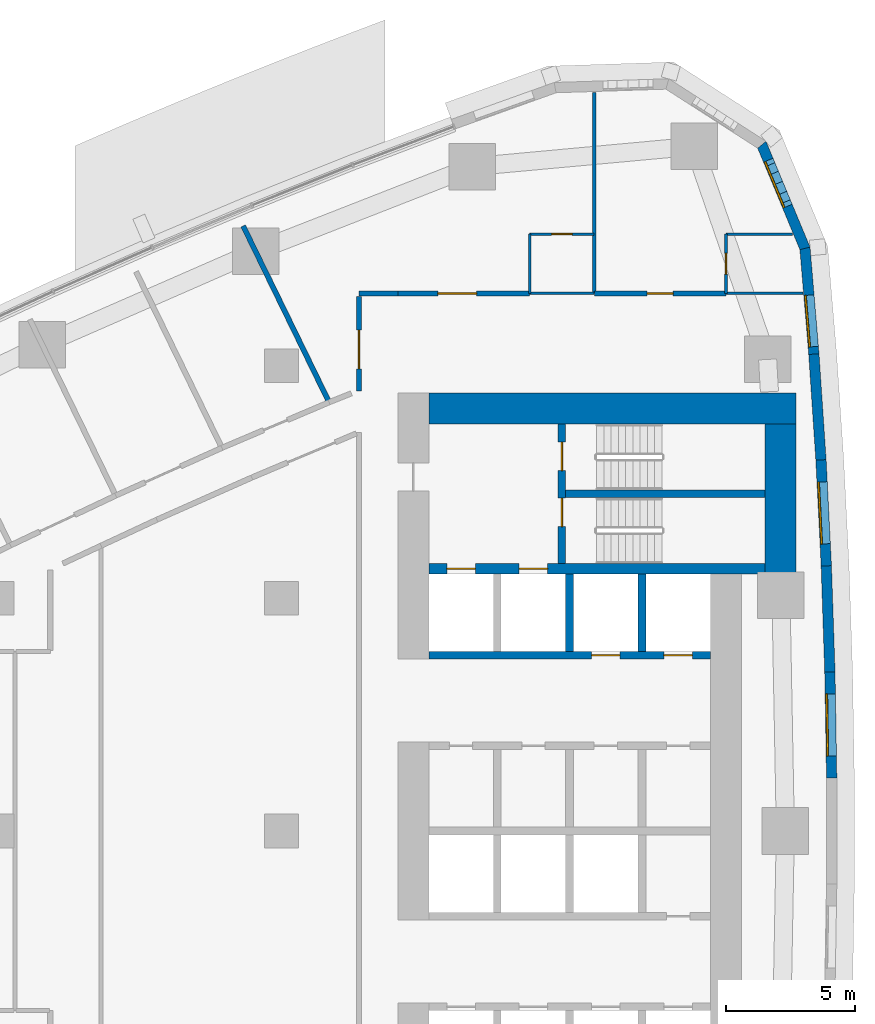
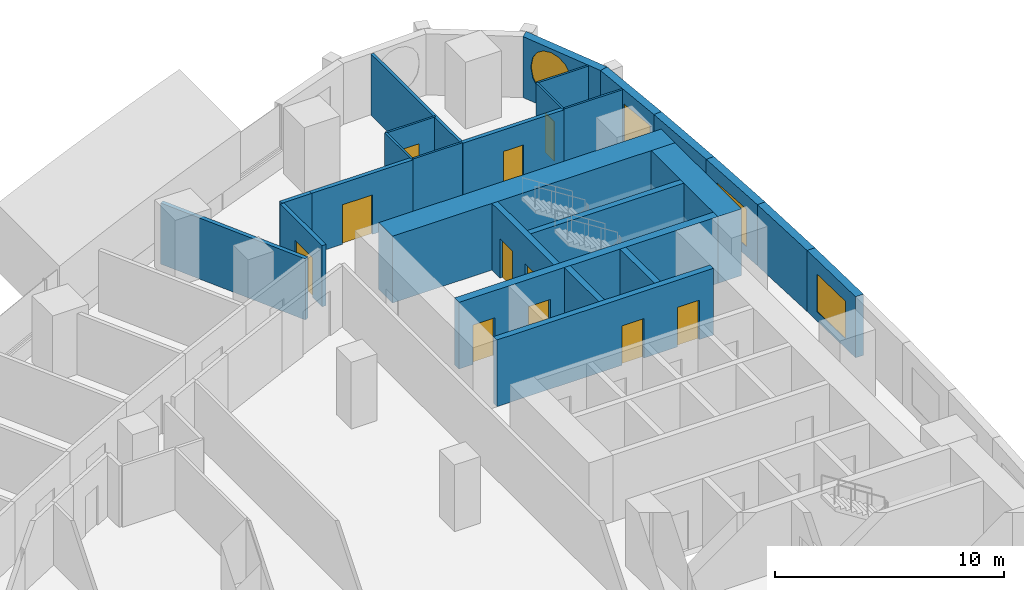
# One storey, part 13 of 19: 26 walls, 11 doors, 4 windows, 15 openings.
"""IFC4 building model written with IfcOpenShell, lengths in metres."""

from ifc_helpers import new_model, si_unit, direction, frame, frame_2d, origin, place, context, subcontext, project, spatial, polyline, rectangle, outline, extrude, material, layer, layer_set, type_object, element, fill, save


model = new_model("IFC4")

# Units and contexts
model_context = context("Model", 3, precision=1e-05, world=origin(), true_north=direction((0.0, 1.0)))
body_context = subcontext(model_context, "Body", "Model", "MODEL_VIEW")
ifc_project = project(units=[si_unit("LENGTHUNIT", "METRE"), si_unit("AREAUNIT", "SQUARE_METRE"), si_unit("VOLUMEUNIT", "CUBIC_METRE"), si_unit("PLANEANGLEUNIT", "RADIAN"), si_unit("MASSUNIT", "GRAM", prefix="KILO")], contexts=[model_context])

# Site, building, storey
site_placement = place(None, origin())
site = spatial("IfcSite", under=ifc_project, at=site_placement, CompositionType="ELEMENT")
building_placement = place(site_placement, origin())
building = spatial("IfcBuilding", under=site, at=building_placement, Name="Ostrand Prow Hotel Tower", CompositionType="ELEMENT")
storey_placement = place(building_placement, frame((0.0, 0.0, 46.699951171875)))
storey = spatial("IfcBuildingStorey", under=building, at=storey_placement, Name="L09", CompositionType="ELEMENT", Elevation=46.699951171875)

# Walls
ifc_material_1 = material(Name="Concrete C80/95", Category="concrete")
ifc_layer_1 = layer(ifc_material_1, 1.199951171875)
ifc_layer_set_1 = layer_set([ifc_layer_1], Name="Concrete C80/95")
wall_type_1 = type_object("IfcWallType", Name="Core wall 1200 C80/95", PredefinedType="SHEAR", material=ifc_layer_set_1)
wall_1_placement = place(storey_placement, frame((50.699951171875, 16.35009765625, 0.0), z_axis=(0.0, 0.0, 1.0), x_axis=(1.0, 0.0, 0.0)))
element("IfcWall", 1, at=wall_1_placement, inside=storey, type_object=wall_type_1, Name="Core wall CW-N", PredefinedType="SHEAR", context=body_context, shape_type="SweptSolid", body=[
    extrude(rectangle(XDim=14.219970703125, YDim=1.199951171875, at=frame_2d((7.10986328125, 0.0))), origin(), (0.0, 0.0, 1.0), 3.550048828125),
])
wall_2_placement = place(storey_placement, frame((64.320068359375, 9.949951171875, 0.0), z_axis=(0.0, 0.0, 1.0), x_axis=(0.0, 1.0, 0.0)))
element("IfcWall", 2, at=wall_2_placement, inside=storey, type_object=wall_type_1, Name="Core wall CW-E-N", PredefinedType="SHEAR", context=body_context, shape_type="SweptSolid", body=[
    extrude(rectangle(XDim=5.800048828125, YDim=1.199951171875, at=frame_2d((2.89990234375, 0.0))), origin(), (0.0, 0.0, 1.0), 3.550048828125),
])

# Wall, openings, doors
ifc_material_2 = material(Name="Concrete C80/95", Category="concrete")
ifc_layer_2 = layer(ifc_material_2, 0.300048828125)
ifc_layer_set_2 = layer_set([ifc_layer_2], Name="Concrete C80/95")
wall_type_2 = type_object("IfcWallType", Name="Core wall 300 C80/95", PredefinedType="SHEAR", material=ifc_layer_set_2)
wall_3_placement = place(storey_placement, frame((50.699951171875, 6.800048828125, 0.0), z_axis=(0.0, 0.0, 1.0), x_axis=(1.0, 0.0, 0.0)))
wall_3 = element("IfcWall", 3, at=wall_3_placement, inside=storey, type_object=wall_type_2, Name="Core wall PW-L2-N", PredefinedType="SHEAR", context=body_context, shape_type="SweptSolid", body=[
    extrude(rectangle(XDim=10.900146484375, YDim=0.300048828125, at=frame_2d((5.4501953125, 0.0))), origin(), (0.0, 0.0, 1.0), 3.550048828125),
])
opening_1_placement = place(wall_3_placement, frame((6.300048828125, 0.0, 0.0)))
opening_1 = element("IfcOpeningElement", 4, at=opening_1_placement, cuts=wall_3, Name="Opening LD", PredefinedType="OPENING", context=body_context, shape_type="SweptSolid", body=[
    extrude(rectangle(XDim=1.10009765625, YDim=2.10009765625, at=frame_2d((0.550048828125, 1.050048828125))), frame((0.0, 0.159912109375, 0.0), z_axis=(0.0, -1.0, 0.0), x_axis=(1.0, 0.0, 0.0)), (0.0, 0.0, 1.0), 0.320068359375),
])
opening_2_placement = place(wall_3_placement, frame((9.10009765625, 0.0, 0.0)))
opening_2 = element("IfcOpeningElement", 5, at=opening_2_placement, cuts=wall_3, Name="Opening LD", PredefinedType="OPENING", context=body_context, shape_type="SweptSolid", body=[
    extrude(rectangle(XDim=1.10009765625, YDim=2.10009765625, at=frame_2d((0.550048828125, 1.050048828125))), frame((0.0, 0.159912109375, 0.0), z_axis=(0.0, -1.0, 0.0), x_axis=(1.0, 0.0, 0.0)), (0.0, 0.0, 1.0), 0.320068359375),
])
ifc_material_3 = material(Name="Stainless steel door", Category="steel")
door_type_1 = type_object("IfcDoorType", Name="Lift landing door 1100", OperationType="DOUBLE_DOOR_SLIDING", PredefinedType="DOOR", material=ifc_material_3)
door_1_placement = place(opening_1_placement, origin())
door_1 = element("IfcDoor", 6, at=door_1_placement, inside=storey, type_object=door_type_1, Name="LIFT LANDING DOOR", OperationType="DOUBLE_DOOR_SLIDING", OverallHeight=2.10009765625, OverallWidth=1.10009765625, PredefinedType="DOOR", context=body_context, shape_type="SweptSolid", body=[
    extrude(rectangle(XDim=1.10009765625, YDim=2.10009765625, at=frame_2d((0.550048828125, 1.050048828125))), frame((0.0, 0.02490234375, 0.0), z_axis=(0.0, -1.0, 0.0), x_axis=(1.0, 0.0, 0.0)), (0.0, 0.0, 1.0), 0.050048828125),
])
fill(opening_1, door_1)
door_2_placement = place(opening_2_placement, origin())
door_2 = element("IfcDoor", 7, at=door_2_placement, inside=storey, type_object=door_type_1, Name="LIFT LANDING DOOR", OperationType="DOUBLE_DOOR_SLIDING", OverallHeight=2.10009765625, OverallWidth=1.10009765625, PredefinedType="DOOR", context=body_context, shape_type="SweptSolid", body=[
    extrude(rectangle(XDim=1.10009765625, YDim=2.10009765625, at=frame_2d((0.550048828125, 1.050048828125))), frame((0.0, 0.02490234375, 0.0), z_axis=(0.0, -1.0, 0.0), x_axis=(1.0, 0.0, 0.0)), (0.0, 0.0, 1.0), 0.050048828125),
])
fill(opening_2, door_2)

# Walls
for number, where, z_axis, x_axis, name in (
    (8, (56.14990234375, 6.949951171875, 0.0), (0.0, 0.0, 1.0), (0.0, 1.0, 0.0), "Core wall PW-R2-NA"),
    (9, (58.949951171875, 6.949951171875, 0.0), (0.0, 0.0, 1.0), (0.0, 1.0, 0.0), "Core wall PW-R3-NA"),
):
    element("IfcWall", number, at=place(storey_placement, frame(where, z_axis=z_axis, x_axis=x_axis)), inside=storey, type_object=wall_type_2, Name=name, PredefinedType="SHEAR", context=body_context, shape_type="SweptSolid", body=[
        extrude(rectangle(XDim=3.0, YDim=0.300048828125, at=frame_2d((1.5, 0.0))), origin(), (0.0, 0.0, 1.0), 3.550048828125),
    ])

# Wall, openings, doors
wall_4_placement = place(storey_placement, frame((55.85009765625, 10.35009765625, 0.0), z_axis=(0.0, 0.0, 1.0), x_axis=(0.0, 1.0, 0.0)))
wall_4 = element("IfcWall", 10, at=wall_4_placement, inside=storey, type_object=wall_type_2, Name="Core wall PW-VN", PredefinedType="SHEAR", context=body_context, shape_type="SweptSolid", body=[
    extrude(rectangle(XDim=5.39990234375, YDim=0.300048828125, at=frame_2d((2.699951171875, 0.0))), origin(), (0.0, 0.0, 1.0), 3.550048828125),
])
opening_3_placement = place(wall_4_placement, frame((1.429931640625, 0.0, 0.0)))
opening_3 = element("IfcOpeningElement", 11, at=opening_3_placement, cuts=wall_4, Name="Opening FD1", PredefinedType="OPENING", context=body_context, shape_type="SweptSolid", body=[
    extrude(rectangle(XDim=1.10009765625, YDim=2.10009765625, at=frame_2d((0.550048828125, 1.050048828125))), frame((0.0, 0.159912109375, 0.0), z_axis=(0.0, -1.0, 0.0), x_axis=(1.0, 0.0, 0.0)), (0.0, 0.0, 1.0), 0.320068359375),
])
opening_4_placement = place(wall_4_placement, frame((3.60009765625, 0.0, 0.0)))
opening_4 = element("IfcOpeningElement", 12, at=opening_4_placement, cuts=wall_4, Name="Opening FD1", PredefinedType="OPENING", context=body_context, shape_type="SweptSolid", body=[
    extrude(rectangle(XDim=1.10009765625, YDim=2.10009765625, at=frame_2d((0.550048828125, 1.050048828125))), frame((0.0, 0.159912109375, 0.0), z_axis=(0.0, -1.0, 0.0), x_axis=(1.0, 0.0, 0.0)), (0.0, 0.0, 1.0), 0.320068359375),
])
ifc_material_4 = material(Name="Steel fire door", Category="steel")
door_type_2 = type_object("IfcDoorType", Name="Fire door 1100 EI120", OperationType="SINGLE_SWING_RIGHT", PredefinedType="DOOR", material=ifc_material_4)
door_3_placement = place(opening_3_placement, origin())
door_3 = element("IfcDoor", 13, at=door_3_placement, inside=storey, type_object=door_type_2, Name="FIRE DOOR", OperationType="SINGLE_SWING_RIGHT", OverallHeight=2.10009765625, OverallWidth=1.10009765625, PredefinedType="DOOR", context=body_context, shape_type="SweptSolid", body=[
    extrude(rectangle(XDim=1.10009765625, YDim=2.10009765625, at=frame_2d((0.550048828125, 1.050048828125))), frame((0.0, 0.02490234375, 0.0), z_axis=(0.0, -1.0, 0.0), x_axis=(1.0, 0.0, 0.0)), (0.0, 0.0, 1.0), 0.050048828125),
])
fill(opening_3, door_3)
door_4_placement = place(opening_4_placement, origin())
door_4 = element("IfcDoor", 14, at=door_4_placement, inside=storey, type_object=door_type_2, Name="FIRE DOOR", OperationType="SINGLE_SWING_RIGHT", OverallHeight=2.10009765625, OverallWidth=1.10009765625, PredefinedType="DOOR", context=body_context, shape_type="SweptSolid", body=[
    extrude(rectangle(XDim=1.10009765625, YDim=2.10009765625, at=frame_2d((0.550048828125, 1.050048828125))), frame((0.0, 0.02490234375, 0.0), z_axis=(0.0, -1.0, 0.0), x_axis=(1.0, 0.0, 0.0)), (0.0, 0.0, 1.0), 0.050048828125),
])
fill(opening_4, door_4)

# Wall
wall_5_placement = place(storey_placement, frame((56.0, 13.050048828125, 0.0), z_axis=(0.0, 0.0, 1.0), x_axis=(1.0, 0.0, 0.0)))
element("IfcWall", 15, at=wall_5_placement, inside=storey, type_object=wall_type_2, Name="Core wall PW-ST13", PredefinedType="SHEAR", context=body_context, shape_type="SweptSolid", body=[
    extrude(rectangle(XDim=7.719970703125, YDim=0.300048828125, at=frame_2d((3.85986328125, 0.0))), origin(), (0.0, 0.0, 1.0), 3.550048828125),
])

# Wall, openings, doors
ifc_material_5 = material(Name="Concrete C80/95", Category="concrete")
ifc_layer_3 = layer(ifc_material_5, 0.39990234375)
ifc_layer_set_3 = layer_set([ifc_layer_3], Name="Concrete C80/95")
wall_type_3 = type_object("IfcWallType", Name="Core wall 400 C80/95", PredefinedType="SHEAR", material=ifc_layer_set_3)
wall_6_placement = place(storey_placement, frame((50.699951171875, 10.14990234375, 0.0), z_axis=(0.0, 0.0, 1.0), x_axis=(1.0, 0.0, 0.0)))
wall_6 = element("IfcWall", 16, at=wall_6_placement, inside=storey, type_object=wall_type_3, Name="Core wall PW-BN", PredefinedType="SHEAR", context=body_context, shape_type="SweptSolid", body=[
    extrude(rectangle(XDim=13.02001953125, YDim=0.39990234375, at=frame_2d((6.510009765625, 0.0))), origin(), (0.0, 0.0, 1.0), 3.550048828125),
])
opening_5_placement = place(wall_6_placement, frame((0.699951171875, 0.0, 0.0)))
opening_5 = element("IfcOpeningElement", 17, at=opening_5_placement, cuts=wall_6, Name="Opening LD", PredefinedType="OPENING", context=body_context, shape_type="SweptSolid", body=[
    extrude(rectangle(XDim=1.10009765625, YDim=2.10009765625, at=frame_2d((0.550048828125, 1.050048828125))), frame((0.0, 0.2099609375, 0.0), z_axis=(0.0, -1.0, 0.0), x_axis=(1.0, 0.0, 0.0)), (0.0, 0.0, 1.0), 0.419921875),
])
opening_6_placement = place(wall_6_placement, frame((3.5, 0.0, 0.0)))
opening_6 = element("IfcOpeningElement", 18, at=opening_6_placement, cuts=wall_6, Name="Opening LD", PredefinedType="OPENING", context=body_context, shape_type="SweptSolid", body=[
    extrude(rectangle(XDim=1.10009765625, YDim=2.10009765625, at=frame_2d((0.550048828125, 1.050048828125))), frame((0.0, 0.2099609375, 0.0), z_axis=(0.0, -1.0, 0.0), x_axis=(1.0, 0.0, 0.0)), (0.0, 0.0, 1.0), 0.419921875),
])
door_5_placement = place(opening_5_placement, origin())
door_5 = element("IfcDoor", 19, at=door_5_placement, inside=storey, type_object=door_type_1, Name="LIFT LANDING DOOR", OperationType="DOUBLE_DOOR_SLIDING", OverallHeight=2.10009765625, OverallWidth=1.10009765625, PredefinedType="DOOR", context=body_context, shape_type="SweptSolid", body=[
    extrude(rectangle(XDim=1.10009765625, YDim=2.10009765625, at=frame_2d((0.550048828125, 1.050048828125))), frame((0.0, 0.02490234375, 0.0), z_axis=(0.0, -1.0, 0.0), x_axis=(1.0, 0.0, 0.0)), (0.0, 0.0, 1.0), 0.050048828125),
])
fill(opening_5, door_5)
door_6_placement = place(opening_6_placement, origin())
door_6 = element("IfcDoor", 20, at=door_6_placement, inside=storey, type_object=door_type_1, Name="LIFT LANDING DOOR", OperationType="DOUBLE_DOOR_SLIDING", OverallHeight=2.10009765625, OverallWidth=1.10009765625, PredefinedType="DOOR", context=body_context, shape_type="SweptSolid", body=[
    extrude(rectangle(XDim=1.10009765625, YDim=2.10009765625, at=frame_2d((0.550048828125, 1.050048828125))), frame((0.0, 0.02490234375, 0.0), z_axis=(0.0, -1.0, 0.0), x_axis=(1.0, 0.0, 0.0)), (0.0, 0.0, 1.0), 0.050048828125),
])
fill(opening_6, door_6)

# Wall
ifc_material_6 = material(Name="Plasterboard partition")
ifc_layer_4 = layer(ifc_material_6, 0.10009765625)
ifc_layer_set_4 = layer_set([ifc_layer_4], Name="Plasterboard partition")
wall_type_4 = type_object("IfcWallType", Name="Partition 100 bathroom wall", PredefinedType="PARTITIONING", material=ifc_layer_set_4)
wall_7_placement = place(storey_placement, frame((54.601806640625, 20.800048828125, 0.0), z_axis=(0.0, 0.0, 1.0), x_axis=(0.0, 1.0, 0.0)))
element("IfcWall", 21, at=wall_7_placement, inside=storey, type_object=wall_type_4, Name="BATHROOM WALL", PredefinedType="PARTITIONING", context=body_context, shape_type="SweptSolid", body=[
    extrude(rectangle(XDim=2.300048828125, YDim=0.10009765625, at=frame_2d((1.14990234375, 0.0))), origin(), (0.0, 0.0, 1.0), 3.25),
])

# Wall, opening, door
wall_8_placement = place(storey_placement, frame((54.601806640625, 23.10009765625, 0.0), z_axis=(0.0, 0.0, 1.0), x_axis=(1.0, 0.0, 0.0)))
wall_8 = element("IfcWall", 22, at=wall_8_placement, inside=storey, type_object=wall_type_4, Name="BATHROOM WALL", PredefinedType="PARTITIONING", context=body_context, shape_type="SweptSolid", body=[
    extrude(rectangle(XDim=2.5, YDim=0.10009765625, at=frame_2d((1.25, 0.0))), origin(), (0.0, 0.0, 1.0), 3.25),
])
opening_7_placement = place(wall_8_placement, frame((0.85009765625, 0.0, 0.0)))
opening_7 = element("IfcOpeningElement", 23, at=opening_7_placement, cuts=wall_8, Name="Opening D2", PredefinedType="OPENING", context=body_context, shape_type="SweptSolid", body=[
    extrude(rectangle(XDim=0.800048828125, YDim=2.10009765625, at=frame_2d((0.39990234375, 1.050048828125))), frame((0.0, 0.06005859375, 0.0), z_axis=(0.0, -1.0, 0.0), x_axis=(1.0, 0.0, 0.0)), (0.0, 0.0, 1.0), 0.1201171875),
])
ifc_material_7 = material(Name="Timber door leaf", Category="wood")
door_type_3 = type_object("IfcDoorType", Name="Bathroom door 800", OperationType="SINGLE_SWING_LEFT", PredefinedType="DOOR", material=ifc_material_7)
door_7_placement = place(opening_7_placement, origin())
door_7 = element("IfcDoor", 24, at=door_7_placement, inside=storey, type_object=door_type_3, Name="DOOR", OperationType="SINGLE_SWING_LEFT", OverallHeight=2.10009765625, OverallWidth=0.800048828125, PredefinedType="DOOR", context=body_context, shape_type="SweptSolid", body=[
    extrude(rectangle(XDim=0.800048828125, YDim=2.10009765625, at=frame_2d((0.39990234375, 1.050048828125))), frame((0.0, 0.02490234375, 0.0), z_axis=(0.0, -1.0, 0.0), x_axis=(1.0, 0.0, 0.0)), (0.0, 0.0, 1.0), 0.050048828125),
])
fill(opening_7, door_7)

wall_9_placement = place(storey_placement, frame((62.203369140625, 20.800048828125, 0.0), z_axis=(0.0, 0.0, 1.0), x_axis=(0.0, 1.0, 0.0)))
wall_9 = element("IfcWall", 25, at=wall_9_placement, inside=storey, type_object=wall_type_4, Name="BATHROOM WALL", PredefinedType="PARTITIONING", context=body_context, shape_type="SweptSolid", body=[
    extrude(rectangle(XDim=2.300048828125, YDim=0.10009765625, at=frame_2d((1.14990234375, 0.0))), origin(), (0.0, 0.0, 1.0), 3.25),
])
opening_8_placement = place(wall_9_placement, frame((0.75, 0.0, 0.0)))
opening_8 = element("IfcOpeningElement", 26, at=opening_8_placement, cuts=wall_9, Name="Opening D2", PredefinedType="OPENING", context=body_context, shape_type="SweptSolid", body=[
    extrude(rectangle(XDim=0.800048828125, YDim=2.10009765625, at=frame_2d((0.39990234375, 1.050048828125))), frame((0.0, 0.06005859375, 0.0), z_axis=(0.0, -1.0, 0.0), x_axis=(1.0, 0.0, 0.0)), (0.0, 0.0, 1.0), 0.1201171875),
])
door_8_placement = place(opening_8_placement, origin())
door_8 = element("IfcDoor", 27, at=door_8_placement, inside=storey, type_object=door_type_3, Name="DOOR", OperationType="SINGLE_SWING_LEFT", OverallHeight=2.10009765625, OverallWidth=0.800048828125, PredefinedType="DOOR", context=body_context, shape_type="SweptSolid", body=[
    extrude(rectangle(XDim=0.800048828125, YDim=2.10009765625, at=frame_2d((0.39990234375, 1.050048828125))), frame((0.0, 0.02490234375, 0.0), z_axis=(0.0, -1.0, 0.0), x_axis=(1.0, 0.0, 0.0)), (0.0, 0.0, 1.0), 0.050048828125),
])
fill(opening_8, door_8)

# Walls
wall_10_placement = place(storey_placement, frame((62.203369140625, 23.10009765625, 0.0), z_axis=(0.0, 0.0, 1.0), x_axis=(1.0, 0.0, 0.0)))
element("IfcWall", 28, at=wall_10_placement, inside=storey, type_object=wall_type_4, Name="BATHROOM WALL", PredefinedType="PARTITIONING", context=body_context, shape_type="SweptSolid", body=[
    extrude(rectangle(XDim=2.578125, YDim=0.10009765625, at=frame_2d((1.2890625, 0.0))), origin(), (0.0, 0.0, 1.0), 3.25),
])
wall_11_placement = place(storey_placement, frame((57.101806640625, 20.804931640625, 0.0), z_axis=(0.0, 0.0, 1.0), x_axis=(-1.0, 0.0, 0.0)))
element("IfcWall", 29, at=wall_11_placement, inside=storey, type_object=wall_type_4, Name="BATHROOM WALL", PredefinedType="PARTITIONING", context=body_context, shape_type="SweptSolid", body=[
    extrude(rectangle(XDim=2.5, YDim=0.10009765625, at=frame_2d((1.25, 0.0))), origin(), (0.0, 0.0, 1.0), 3.25),
])
wall_12_placement = place(storey_placement, frame((65.174560546875, 20.804931640625, 0.0), z_axis=(0.0, 0.0, 1.0), x_axis=(-1.0, 0.0, 0.0)))
element("IfcWall", 30, at=wall_12_placement, inside=storey, type_object=wall_type_4, Name="BATHROOM WALL", PredefinedType="PARTITIONING", context=body_context, shape_type="SweptSolid", body=[
    extrude(rectangle(XDim=2.97119140625, YDim=0.10009765625, at=frame_2d((1.485595703125, 0.0))), origin(), (0.0, 0.0, 1.0), 3.25),
])
ifc_material_8 = material(Name="Plasterboard partition")
ifc_layer_5 = layer(ifc_material_8, 0.14990234375)
ifc_layer_set_5 = layer_set([ifc_layer_5], Name="Plasterboard partition")
wall_type_5 = type_object("IfcWallType", Name="Partition 150 room partition", PredefinedType="PARTITIONING", material=ifc_layer_set_5)
wall_13_placement = place(storey_placement, frame((57.101806640625, 20.800048828125, 0.0), z_axis=(0.0, 0.0, 1.0), x_axis=(0.0, 1.0, 0.0)))
element("IfcWall", 31, at=wall_13_placement, inside=storey, type_object=wall_type_5, Name="ROOM PARTITION", PredefinedType="PARTITIONING", context=body_context, shape_type="SweptSolid", body=[
    extrude(rectangle(XDim=7.786865234375, YDim=0.14990234375, at=frame_2d((3.8935546875, 0.0))), origin(), (0.0, 0.0, 1.0), 3.25),
])

# Wall, opening, door
ifc_material_9 = material(Name="Plasterboard partition")
ifc_layer_6 = layer(ifc_material_9, 0.199951171875)
ifc_layer_set_6 = layer_set([ifc_layer_6], Name="Plasterboard partition")
wall_type_6 = type_object("IfcWallType", Name="Partition 200 corridor wall", PredefinedType="PARTITIONING", material=ifc_layer_set_6)
wall_14_placement = place(storey_placement, frame((54.5966796875, 20.804931640625, 0.0), z_axis=(0.0, 0.0, 1.0), x_axis=(-1.0, 0.0, 0.0)))
wall_14 = element("IfcWall", 32, at=wall_14_placement, inside=storey, type_object=wall_type_6, Name="CORRIDOR WALL", PredefinedType="PARTITIONING", context=body_context, shape_type="SweptSolid", body=[
    extrude(rectangle(XDim=5.0966796875, YDim=0.199951171875, at=frame_2d((2.54833984375, 0.0))), origin(), (0.0, 0.0, 1.0), 3.25),
])
opening_9_placement = place(wall_14_placement, frame((2.04833984375, 0.0, 0.0)))
opening_9 = element("IfcOpeningElement", 33, at=opening_9_placement, cuts=wall_14, Name="Opening D15", PredefinedType="OPENING", context=body_context, shape_type="SweptSolid", body=[
    extrude(rectangle(XDim=1.5, YDim=2.10009765625, at=frame_2d((0.75, 1.050048828125))), frame((0.0, 0.10986328125, 0.0), z_axis=(0.0, -1.0, 0.0), x_axis=(1.0, 0.0, 0.0)), (0.0, 0.0, 1.0), 0.219970703125),
])
ifc_material_10 = material(Name="Timber door leaf", Category="wood")
door_type_4 = type_object("IfcDoorType", Name="Double door 1500", OperationType="DOUBLE_DOOR_SINGLE_SWING", PredefinedType="DOOR", material=ifc_material_10)
door_9_placement = place(opening_9_placement, origin())
door_9 = element("IfcDoor", 34, at=door_9_placement, inside=storey, type_object=door_type_4, Name="DOOR", OperationType="DOUBLE_DOOR_SINGLE_SWING", OverallHeight=2.10009765625, OverallWidth=1.5, PredefinedType="DOOR", context=body_context, shape_type="SweptSolid", body=[
    extrude(rectangle(XDim=1.5, YDim=2.10009765625, at=frame_2d((0.75, 1.050048828125))), frame((0.0, 0.02490234375, 0.0), z_axis=(0.0, -1.0, 0.0), x_axis=(1.0, 0.0, 0.0)), (0.0, 0.0, 1.0), 0.050048828125),
])
fill(opening_9, door_9)

wall_15_placement = place(storey_placement, frame((62.1982421875, 20.804931640625, 0.0), z_axis=(0.0, 0.0, 1.0), x_axis=(-1.0, 0.0, 0.0)))
wall_15 = element("IfcWall", 35, at=wall_15_placement, inside=storey, type_object=wall_type_6, Name="CORRIDOR WALL", PredefinedType="PARTITIONING", context=body_context, shape_type="SweptSolid", body=[
    extrude(rectangle(XDim=5.091552734375, YDim=0.199951171875, at=frame_2d((2.5458984375, 0.0))), origin(), (0.0, 0.0, 1.0), 3.25),
])
opening_10_placement = place(wall_15_placement, frame((2.0458984375, 0.0, 0.0)))
opening_10 = element("IfcOpeningElement", 36, at=opening_10_placement, cuts=wall_15, Name="Opening D1", PredefinedType="OPENING", context=body_context, shape_type="SweptSolid", body=[
    extrude(rectangle(XDim=1.0, YDim=2.10009765625, at=frame_2d((0.5, 1.050048828125))), frame((0.0, 0.10986328125, 0.0), z_axis=(0.0, -1.0, 0.0), x_axis=(1.0, 0.0, 0.0)), (0.0, 0.0, 1.0), 0.219970703125),
])
ifc_material_11 = material(Name="Timber door leaf", Category="wood")
door_type_5 = type_object("IfcDoorType", Name="Guest room door 1000", OperationType="SINGLE_SWING_LEFT", PredefinedType="DOOR", material=ifc_material_11)
door_10_placement = place(opening_10_placement, origin())
door_10 = element("IfcDoor", 37, at=door_10_placement, inside=storey, type_object=door_type_5, Name="DOOR", OperationType="SINGLE_SWING_LEFT", OverallHeight=2.10009765625, OverallWidth=1.0, PredefinedType="DOOR", context=body_context, shape_type="SweptSolid", body=[
    extrude(rectangle(XDim=1.0, YDim=2.10009765625, at=frame_2d((0.5, 1.050048828125))), frame((0.0, 0.02490234375, 0.0), z_axis=(0.0, -1.0, 0.0), x_axis=(1.0, 0.0, 0.0)), (0.0, 0.0, 1.0), 0.050048828125),
])
fill(opening_10, door_10)

# Wall
wall_16_placement = place(storey_placement, frame((49.5, 20.804931640625, 0.0), z_axis=(0.0, 0.0, 1.0), x_axis=(-0.999998933031, -0.001460800259, 0.0)))
element("IfcWall", 38, at=wall_16_placement, inside=storey, type_object=wall_type_6, Name="CORRIDOR WALL", PredefinedType="PARTITIONING", context=body_context, shape_type="SweptSolid", body=[
    extrude(rectangle(XDim=1.504150390625, YDim=0.199951171875, at=frame_2d((0.751953125, 0.0))), origin(), (0.0, 0.0, 1.0), 3.25),
])

# Wall, opening, door
wall_17_placement = place(storey_placement, frame((47.995849609375, 20.682861328125, 0.0), z_axis=(0.0, 0.0, 1.0), x_axis=(0.000802729021, -0.999999677813, 0.0)))
wall_17 = element("IfcWall", 39, at=wall_17_placement, inside=storey, type_object=wall_type_6, Name="CORRIDOR WALL", PredefinedType="PARTITIONING", context=body_context, shape_type="SweptSolid", body=[
    extrude(rectangle(XDim=3.649658203125, YDim=0.199951171875, at=frame_2d((1.82470703125, 0.0))), origin(), (0.0, 0.0, 1.0), 3.25),
])
opening_11_placement = place(wall_17_placement, frame((1.300048828125, 0.0, 0.0)))
opening_11 = element("IfcOpeningElement", 40, at=opening_11_placement, cuts=wall_17, Name="Opening D15", PredefinedType="OPENING", context=body_context, shape_type="SweptSolid", body=[
    extrude(rectangle(XDim=1.5, YDim=2.10009765625, at=frame_2d((0.75, 1.050048828125))), frame((0.0, 0.10986328125, 0.0), z_axis=(0.0, -1.0, 0.0), x_axis=(1.0, 0.0, 0.0)), (0.0, 0.0, 1.0), 0.219970703125),
])
door_11_placement = place(opening_11_placement, origin())
door_11 = element("IfcDoor", 41, at=door_11_placement, inside=storey, type_object=door_type_4, Name="DOOR", OperationType="DOUBLE_DOOR_SINGLE_SWING", OverallHeight=2.10009765625, OverallWidth=1.5, PredefinedType="DOOR", context=body_context, shape_type="SweptSolid", body=[
    extrude(rectangle(XDim=1.5, YDim=2.10009765625, at=frame_2d((0.75, 1.050048828125))), frame((0.0, 0.02490234375, 0.0), z_axis=(0.0, -1.0, 0.0), x_axis=(1.0, 0.0, 0.0)), (0.0, 0.0, 1.0), 0.050048828125),
])
fill(opening_11, door_11)

# Wall
ifc_material_12 = material(Name="Plasterboard partition")
ifc_layer_7 = layer(ifc_material_12, 0.199951171875)
ifc_layer_set_7 = layer_set([ifc_layer_7], Name="Plasterboard partition")
wall_type_7 = type_object("IfcWallType", Name="Partition 200 key partition", PredefinedType="PARTITIONING", material=ifc_layer_set_7)
wall_18_placement = place(storey_placement, frame((46.85205078125, 16.57275390625, 0.0), z_axis=(0.0, 0.0, 1.0), x_axis=(-0.438196739796, 0.898879089328, 0.0)))
element("IfcWall", 42, at=wall_18_placement, inside=storey, type_object=wall_type_7, Name="KEY PARTITION", PredefinedType="PARTITIONING", context=body_context, shape_type="SweptSolid", body=[
    extrude(rectangle(XDim=7.611083984375, YDim=0.199951171875, at=frame_2d((3.8056640625, 0.0))), origin(), (0.0, 0.0, 1.0), 3.25),
])

# Wall, opening, window
ifc_material_13 = material(Name="Precast concrete C40/50", Category="concrete")
ifc_layer_8 = layer(ifc_material_13, 0.39990234375)
ifc_layer_set_8 = layer_set([ifc_layer_8], Name="Precast concrete C40/50")
wall_type_8 = type_object("IfcWallType", Name="Stone-faced precast wall 400 mm", PredefinedType="NOTDEFINED", material=ifc_layer_set_8)
wall_19_placement = place(storey_placement, frame((66.29150390625, 2.052490234375, 0.0), z_axis=(0.0, 0.0, 1.0), x_axis=(-0.016830829972, 0.999858351549, 0.0)))
wall_19 = element("IfcWall", 43, at=wall_19_placement, inside=storey, type_object=wall_type_8, Name="Stone-faced wall back 11", PredefinedType="NOTDEFINED", context=body_context, shape_type="SweptSolid", body=[
    extrude(outline(polyline([(-0.001708984375, -0.199951171875), (4.106689453125, -0.199951171875), (4.103271484375, 0.199951171875), (0.001708984375, 0.199951171875), (-0.001708984375, -0.199951171875)])), origin(), (0.0, 0.0, 1.0), 3.25),
])
opening_12_placement = place(wall_19_placement, frame((0.8525390625, 0.0, 0.5)))
opening_12 = element("IfcOpeningElement", 44, at=opening_12_placement, cuts=wall_19, Name="Opening WA1", PredefinedType="OPENING", context=body_context, shape_type="SweptSolid", body=[
    extrude(rectangle(XDim=2.39990234375, YDim=2.0, at=frame_2d((1.199951171875, 1.0))), frame((0.0, 0.2099609375, 0.0), z_axis=(0.0, -1.0, 0.0), x_axis=(1.0, 0.0, 0.0)), (0.0, 0.0, 1.0), 0.419921875),
])
ifc_material_14 = material(Name="Insulated glass in bronze frame", Category="glass")
window_type_1 = type_object("IfcWindowType", Name="Amenity picture window 2400x2000", PartitioningType="SINGLE_PANEL", PredefinedType="WINDOW", material=ifc_material_14)
window_1_placement = place(opening_12_placement, origin())
window_1 = element("IfcWindow", 45, at=window_1_placement, inside=storey, type_object=window_type_1, Name="Window back 11.1", OverallHeight=2.0, OverallWidth=2.39990234375, PartitioningType="SINGLE_PANEL", PredefinedType="WINDOW", context=body_context, shape_type="SweptSolid", body=[
    extrude(rectangle(XDim=2.39990234375, YDim=2.0, at=frame_2d((1.199951171875, 1.0))), frame((0.0, 0.169921875, 0.0), z_axis=(0.0, -1.0, 0.0), x_axis=(1.0, 0.0, 0.0)), (0.0, 0.0, 1.0), 0.06005859375),
])
fill(opening_12, window_1)

# Wall
wall_20_placement = place(storey_placement, frame((66.222412109375, 6.156982421875, 0.0), z_axis=(0.0, 0.0, 1.0), x_axis=(-0.033542554696, 0.999437290191, 0.0)))
element("IfcWall", 46, at=wall_20_placement, inside=storey, type_object=wall_type_8, Name="Stone-faced wall back 12", PredefinedType="NOTDEFINED", context=body_context, shape_type="SweptSolid", body=[
    extrude(outline(polyline([(-0.001708984375, -0.199951171875), (4.106689453125, -0.199951171875), (4.103271484375, 0.199951171875), (0.001708984375, 0.199951171875), (-0.001708984375, -0.199951171875)])), origin(), (0.0, 0.0, 1.0), 3.25),
])

# Wall, opening, window
wall_21_placement = place(storey_placement, frame((66.084716796875, 10.259765625, 0.0), z_axis=(0.0, 0.0, 1.0), x_axis=(-0.050314326423, 0.998733432181, 0.0)))
wall_21 = element("IfcWall", 47, at=wall_21_placement, inside=storey, type_object=wall_type_8, Name="Stone-faced wall back 13", PredefinedType="NOTDEFINED", context=body_context, shape_type="SweptSolid", body=[
    extrude(outline(polyline([(-0.001708984375, -0.199951171875), (4.106689453125, -0.199951171875), (4.103271484375, 0.199951171875), (0.001708984375, 0.199951171875), (-0.001708984375, -0.199951171875)])), origin(), (0.0, 0.0, 1.0), 3.25),
])
opening_13_placement = place(wall_21_placement, frame((0.8525390625, 0.0, 0.5)))
opening_13 = element("IfcOpeningElement", 48, at=opening_13_placement, cuts=wall_21, Name="Opening WA1", PredefinedType="OPENING", context=body_context, shape_type="SweptSolid", body=[
    extrude(rectangle(XDim=2.39990234375, YDim=2.0, at=frame_2d((1.199951171875, 1.0))), frame((0.0, 0.2099609375, 0.0), z_axis=(0.0, -1.0, 0.0), x_axis=(1.0, 0.0, 0.0)), (0.0, 0.0, 1.0), 0.419921875),
])
window_2_placement = place(opening_13_placement, origin())
window_2 = element("IfcWindow", 49, at=window_2_placement, inside=storey, type_object=window_type_1, Name="Window back 13.1", OverallHeight=2.0, OverallWidth=2.39990234375, PartitioningType="SINGLE_PANEL", PredefinedType="WINDOW", context=body_context, shape_type="SweptSolid", body=[
    extrude(rectangle(XDim=2.39990234375, YDim=2.0, at=frame_2d((1.199951171875, 1.0))), frame((0.0, 0.169921875, 0.0), z_axis=(0.0, -1.0, 0.0), x_axis=(1.0, 0.0, 0.0)), (0.0, 0.0, 1.0), 0.06005859375),
])
fill(opening_13, window_2)

# Wall
wall_22_placement = place(storey_placement, frame((65.878173828125, 14.359619140625, 0.0), z_axis=(0.0, 0.0, 1.0), x_axis=(-0.067087430225, 0.997747100575, 0.0)))
element("IfcWall", 50, at=wall_22_placement, inside=storey, type_object=wall_type_8, Name="Stone-faced wall back 14", PredefinedType="NOTDEFINED", context=body_context, shape_type="SweptSolid", body=[
    extrude(outline(polyline([(-0.001708984375, -0.199951171875), (4.106689453125, -0.199951171875), (4.103271484375, 0.199951171875), (0.001708984375, 0.199951171875), (-0.001708984375, -0.199951171875)])), origin(), (0.0, 0.0, 1.0), 3.25),
])

# Wall, opening, window
wall_23_placement = place(storey_placement, frame((65.602783203125, 18.455322265625, 0.0), z_axis=(0.0, 0.0, 1.0), x_axis=(-0.083793550906, 0.996483136248, 0.0)))
wall_23 = element("IfcWall", 51, at=wall_23_placement, inside=storey, type_object=wall_type_8, Name="Stone-faced wall back 15", PredefinedType="NOTDEFINED", context=body_context, shape_type="SweptSolid", body=[
    extrude(outline(polyline([(-0.001708984375, -0.199951171875), (4.136474609375, -0.199951171875), (4.073974609375, 0.199951171875), (0.001708984375, 0.199951171875), (-0.001708984375, -0.199951171875)])), origin(), (0.0, 0.0, 1.0), 3.25),
])
opening_14_placement = place(wall_23_placement, frame((0.288330078125, 0.0, 0.5)))
opening_14 = element("IfcOpeningElement", 52, at=opening_14_placement, cuts=wall_23, Name="Opening WA1-20", PredefinedType="OPENING", context=body_context, shape_type="SweptSolid", body=[
    extrude(rectangle(XDim=2.0, YDim=2.0, at=frame_2d((1.0, 1.0))), frame((0.0, 0.2099609375, 0.0), z_axis=(0.0, -1.0, 0.0), x_axis=(1.0, 0.0, 0.0)), (0.0, 0.0, 1.0), 0.419921875),
])
ifc_material_15 = material(Name="Insulated glass in bronze frame", Category="glass")
window_type_2 = type_object("IfcWindowType", Name="Amenity picture window 2000x2000", PartitioningType="SINGLE_PANEL", PredefinedType="WINDOW", material=ifc_material_15)
window_3_placement = place(opening_14_placement, origin())
window_3 = element("IfcWindow", 53, at=window_3_placement, inside=storey, type_object=window_type_2, Name="Window back 15.1", OverallHeight=2.0, OverallWidth=2.0, PartitioningType="SINGLE_PANEL", PredefinedType="WINDOW", context=body_context, shape_type="SweptSolid", body=[
    extrude(rectangle(XDim=2.0, YDim=2.0, at=frame_2d((1.0, 1.0))), frame((0.0, 0.169921875, 0.0), z_axis=(0.0, -1.0, 0.0), x_axis=(1.0, 0.0, 0.0)), (0.0, 0.0, 1.0), 0.06005859375),
])
fill(opening_14, window_3)

wall_24_placement = place(storey_placement, frame((65.2587890625, 22.546142578125, 0.0), z_axis=(0.0, 0.0, 1.0), x_axis=(-0.384372042685, 0.923178277908, 0.0)))
wall_24 = element("IfcWall", 54, at=wall_24_placement, inside=storey, type_object=wall_type_8, Name="Stone-faced wall back 16", PredefinedType="NOTDEFINED", context=body_context, shape_type="SweptSolid", body=[
    extrude(outline(polyline([(-0.03125, -0.199951171875), (4.408203125, -0.199951171875), (4.283203125, 0.199951171875), (0.03125, 0.199951171875), (-0.03125, -0.199951171875)])), origin(), (0.0, 0.0, 1.0), 3.25),
])
opening_15_placement = place(wall_24_placement, frame((1.630615234375, 0.0, 0.60009765625)))
opening_15 = element("IfcOpeningElement", 55, at=opening_15_placement, cuts=wall_24, Name="Opening WP2", PredefinedType="OPENING", context=body_context, shape_type="SweptSolid", body=[
    extrude(outline(polyline([(0.0, 1.35009765625), (0.083740234375, 1.77099609375), (0.322265625, 2.127685546875), (0.678955078125, 2.3662109375), (1.10009765625, 2.449951171875), (1.52099609375, 2.3662109375), (1.877685546875, 2.127685546875), (2.1162109375, 1.77099609375), (2.199951171875, 1.35009765625), (2.199951171875, 1.10009765625), (2.1162109375, 0.678955078125), (1.877685546875, 0.322265625), (1.52099609375, 0.083740234375), (1.10009765625, 0.0), (0.678955078125, 0.083740234375), (0.322265625, 0.322265625), (0.083740234375, 0.678955078125), (0.0, 1.099853515625), (0.0, 1.35009765625)])), frame((0.0, 0.2099609375, 0.0), z_axis=(0.0, -1.0, 0.0), x_axis=(1.0, 0.0, 0.0)), (0.0, 0.0, 1.0), 0.419921875),
])
ifc_material_16 = material(Name="Insulated glass in bronze frame", Category="glass")
window_type_3 = type_object("IfcWindowType", Name="Round-ended prow lounge window 2200x2450", PartitioningType="SINGLE_PANEL", PredefinedType="WINDOW", material=ifc_material_16)
window_4_placement = place(opening_15_placement, origin())
window_4 = element("IfcWindow", 56, at=window_4_placement, inside=storey, type_object=window_type_3, Name="Window back 16.1", OverallHeight=2.449951171875, OverallWidth=2.199951171875, PartitioningType="SINGLE_PANEL", PredefinedType="WINDOW", context=body_context, shape_type="SweptSolid", body=[
    extrude(outline(polyline([(0.0, 1.35009765625), (0.083740234375, 1.77099609375), (0.322265625, 2.127685546875), (0.678955078125, 2.3662109375), (1.10009765625, 2.449951171875), (1.52099609375, 2.3662109375), (1.877685546875, 2.127685546875), (2.1162109375, 1.77099609375), (2.199951171875, 1.35009765625), (2.199951171875, 1.10009765625), (2.1162109375, 0.678955078125), (1.877685546875, 0.322265625), (1.52099609375, 0.083740234375), (1.10009765625, 0.0), (0.678955078125, 0.083740234375), (0.322265625, 0.322265625), (0.083740234375, 0.678955078125), (0.0, 1.099853515625), (0.0, 1.35009765625)])), frame((0.0, 0.169921875, 0.0), z_axis=(0.0, -1.0, 0.0), x_axis=(1.0, 0.0, 0.0)), (0.0, 0.0, 1.0), 0.06005859375),
])
fill(opening_15, window_4)

save(model, "model.ifc")
